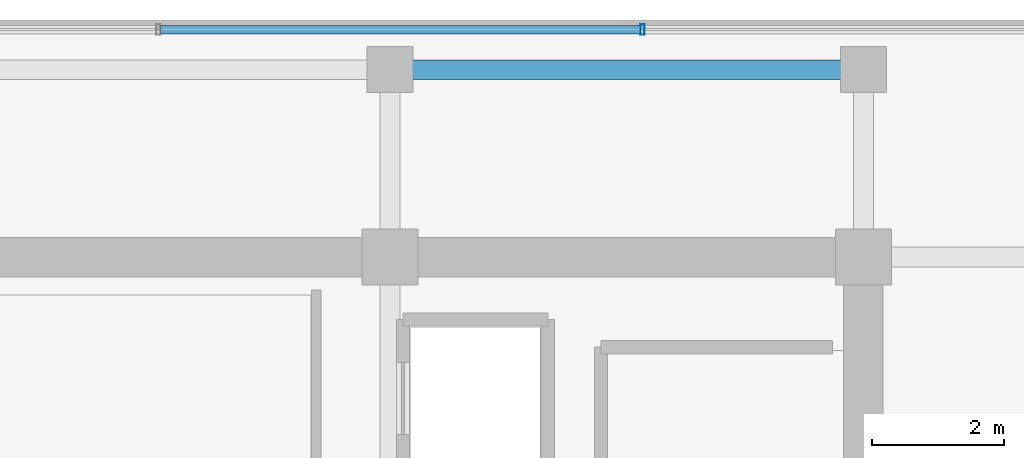
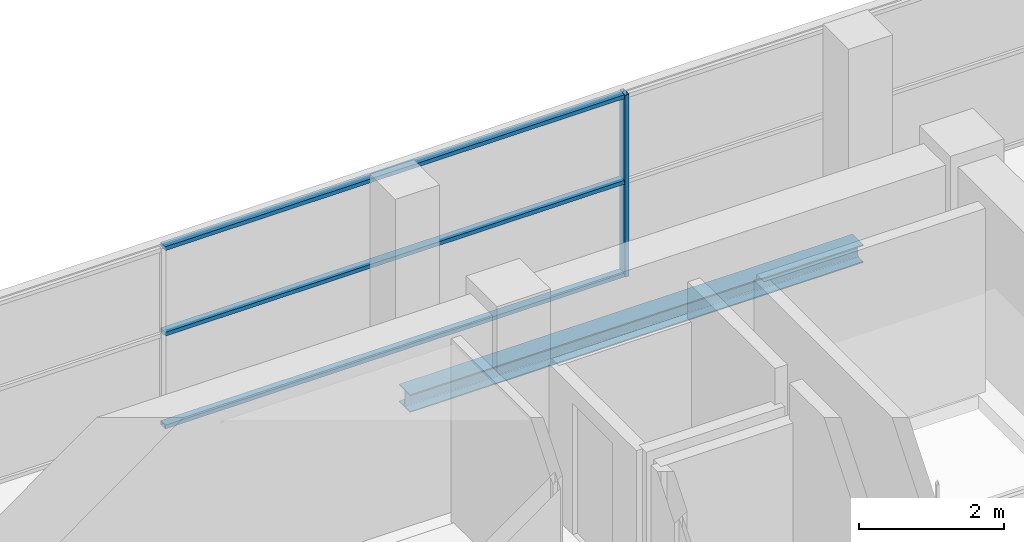
# One storey, part 19 of 28: 4 members, 1 beam, 1 element without a shape of its own.
"""IFC4 building model written with IfcOpenShell, lengths in metres."""

import ifcopenshell
import ifcopenshell.guid

model = None  # the IFC model being written
_history = None  # IfcOwnerHistory: only IFC2X3 demands one
_inside = {}  # id of a spatial element -> (the spatial element, [elements in it])
_under = {}  # id of a project, library or spatial element -> (it, [spatial elements below it])
_declared = {}  # id of a project -> (the project, [libraries it declares])
_typed = {}  # id of a type object -> (the type object, [elements of that type])
_made_of = {}  # id of a material, layer set ... -> (it, [elements and type objects made of it])


def new_model(schema):
    """Start an empty IFC model of exactly this schema.

    Asked for "IFC4X3", IfcOpenShell would pick the latest addendum, in which some entities
    have other attributes; the version numbers below select the first issue.
    IFC2X3 requires an IfcOwnerHistory on every rooted entity: one is made here for all.
    """
    global model, _history
    if schema == "IFC4X3":
        model = ifcopenshell.file(schema_version=(4, 3, 0, 0))
    else:
        model = ifcopenshell.file(schema=schema)
    _inside.clear()
    _under.clear()
    _declared.clear()
    _typed.clear()
    _made_of.clear()
    _history = None
    if model.schema == "IFC2X3":
        org = make("IfcOrganization", Name="unknown")
        user = make(
            "IfcPersonAndOrganization",
            ThePerson=make("IfcPerson", FamilyName="unknown"),
            TheOrganization=org,
        )
        app = make(
            "IfcApplication",
            ApplicationDeveloper=org,
            Version="unknown",
            ApplicationFullName="unknown",
            ApplicationIdentifier="unknown",
        )
        _history = make(
            "IfcOwnerHistory",
            OwningUser=user,
            OwningApplication=app,
            ChangeAction="ADDED",
            CreationDate=0,
        )
    return model


def make(cls, **values):
    """One entity of the class cls with the attributes given. An attribute that is None is left unset."""
    return model.create_entity(
        cls, **{name: value for name, value in values.items() if value is not None}
    )


def rooted(cls, **values):
    """An entity with a GlobalId (a new one), such as an element, a storey or a relation."""
    return make(cls, GlobalId=ifcopenshell.guid.new(), OwnerHistory=_history, **values)


def si_unit(unit_type, name, prefix=None):
    """IfcSIUnit, for example si_unit("LENGTHUNIT", "METRE", prefix="MILLI")."""
    return make("IfcSIUnit", UnitType=unit_type, Prefix=prefix, Name=name)


def assignment(units):
    """IfcUnitAssignment: the units of a project."""
    return None if units is None else make("IfcUnitAssignment", Units=units)


def point(xyz):
    """IfcCartesianPoint."""
    return None if xyz is None else make("IfcCartesianPoint", Coordinates=xyz)


def direction(xyz):
    """IfcDirection."""
    return None if xyz is None else make("IfcDirection", DirectionRatios=xyz)


def frame(location, z_axis=None, x_axis=None):
    """IfcAxis2Placement3D, a coordinate frame: its origin and axes. An axis left out is left unset."""
    return make(
        "IfcAxis2Placement3D",
        Location=point(location),
        Axis=direction(z_axis),
        RefDirection=direction(x_axis),
    )


def frame_2d(location, x_axis=None):
    """IfcAxis2Placement2D, a coordinate frame in the plane: its origin and x axis."""
    return make(
        "IfcAxis2Placement2D", Location=point(location), RefDirection=direction(x_axis)
    )


def origin():
    """The frame at (0, 0, 0) with its axes left unset."""
    return frame((0.0, 0.0, 0.0))


def origin_2d():
    """The frame at (0, 0) in the plane with its x axis left unset."""
    return frame_2d((0.0, 0.0))


def place(relative_to, where):
    """IfcLocalPlacement: puts the frame where relative to a parent placement (None: the world)."""
    return make(
        "IfcLocalPlacement", PlacementRelTo=relative_to, RelativePlacement=where
    )


def context(
    kind, dimensions, precision=None, world=None, true_north=None, identifier=None
):
    """IfcGeometricRepresentationContext, for example the 3D "Model" context."""
    return make(
        "IfcGeometricRepresentationContext",
        ContextIdentifier=identifier,
        ContextType=kind,
        CoordinateSpaceDimension=dimensions,
        Precision=precision,
        WorldCoordinateSystem=world,
        TrueNorth=true_north,
    )


def subcontext(parent, identifier, kind, view, scale=None):
    """IfcGeometricRepresentationSubContext, for example "Body" below "Model"."""
    return make(
        "IfcGeometricRepresentationSubContext",
        ContextIdentifier=identifier,
        ContextType=kind,
        ParentContext=parent,
        TargetScale=scale,
        TargetView=view,
    )


def project(units=None, contexts=None):
    """IfcProject with its units and contexts."""
    return rooted(
        "IfcProject",
        Name="project",
        RepresentationContexts=contexts,
        UnitsInContext=assignment(units),
    )


def spatial(cls, under=None, at=None, **own):
    """A site, building, storey or space (cls), placed at a placement, below another one or the project."""
    s = rooted(cls, ObjectPlacement=at, **own)
    if under is not None:
        _under.setdefault(under.id(), (under, []))[1].append(s)
    return s


def profile(cls, at=None, kind="AREA", **sizes):
    """A parametric profile (cls). Its sizes go by their IFC names, for example OverallWidth=200.0."""
    return make(cls, ProfileType=kind, Position=at, **sizes)


def hollow_rectangle(**sizes):
    """IfcRectangleHollowProfileDef."""
    return profile("IfcRectangleHollowProfileDef", **sizes)


def i_section(**sizes):
    """IfcIShapeProfileDef."""
    return profile("IfcIShapeProfileDef", **sizes)


def extrude(swept, where, along, depth):
    """IfcExtrudedAreaSolid: the profile swept, set in the frame where, extruded along a direction by depth."""
    return make(
        "IfcExtrudedAreaSolid",
        SweptArea=swept,
        Position=where,
        ExtrudedDirection=direction(along),
        Depth=depth,
    )


def shape(context_of_items, identifier, shape_type, items):
    """IfcShapeRepresentation: the items that make up one representation, for example the "Body"."""
    return make(
        "IfcShapeRepresentation",
        ContextOfItems=context_of_items,
        RepresentationIdentifier=identifier,
        RepresentationType=shape_type,
        Items=items,
    )


def source(mapping_origin, context_of_items, identifier, shape_type, items):
    """IfcRepresentationMap: a shape defined once, which mapped items show again and again."""
    return make(
        "IfcRepresentationMap",
        MappingOrigin=mapping_origin,
        MappedRepresentation=shape(context_of_items, identifier, shape_type, items),
    )


def transform(
    local_origin,
    x_axis=None,
    y_axis=None,
    z_axis=None,
    scale=None,
    scale2=None,
    scale3=None,
    uniform=True,
):
    """IfcCartesianTransformationOperator3D, or its non-uniform kind. x_axis, y_axis, z_axis: its Axis1, 2, 3."""
    if uniform:
        return make(
            "IfcCartesianTransformationOperator3D",
            Axis1=direction(x_axis),
            Axis2=direction(y_axis),
            LocalOrigin=point(local_origin),
            Scale=scale,
            Axis3=direction(z_axis),
        )
    return make(
        "IfcCartesianTransformationOperator3DnonUniform",
        Axis1=direction(x_axis),
        Axis2=direction(y_axis),
        LocalOrigin=point(local_origin),
        Scale=scale,
        Axis3=direction(z_axis),
        Scale2=scale2,
        Scale3=scale3,
    )


def mapped(mapping_source, mapping_target):
    """IfcMappedItem: shows the shape of a source again, moved by a transform."""
    return make(
        "IfcMappedItem", MappingSource=mapping_source, MappingTarget=mapping_target
    )


def material(Name=None, Category=None):
    """IfcMaterial."""
    return make("IfcMaterial", Name=Name, Category=Category)


def layer(
    of_material, thickness, ventilated=None, Name=None, Category=None, Priority=None
):
    """IfcMaterialLayer: one layer of a wall or slab, of a material (None: an air gap)."""
    return make(
        "IfcMaterialLayer",
        Material=of_material,
        LayerThickness=thickness,
        IsVentilated=ventilated,
        Name=Name,
        Category=Category,
        Priority=Priority,
    )


def layer_set(layers, Name=None):
    """IfcMaterialLayerSet."""
    return make("IfcMaterialLayerSet", MaterialLayers=layers, LayerSetName=Name)


def material_profile(
    of_material, cross_section, Name=None, Category=None, Priority=None
):
    """IfcMaterialProfile: a cross section and its material."""
    return make(
        "IfcMaterialProfile",
        Name=Name,
        Material=of_material,
        Profile=cross_section,
        Priority=Priority,
        Category=Category,
    )


def profile_set(profiles, Name=None, composite=None):
    """IfcMaterialProfileSet."""
    return make(
        "IfcMaterialProfileSet",
        Name=Name,
        MaterialProfiles=profiles,
        CompositeProfile=composite,
    )


def made_of(thing, what):
    """Note that an element or type object is made of a material, layer set ...; save() writes the relation."""
    if what is not None:
        _made_of.setdefault(what.id(), (what, []))[1].append(thing)
    return thing


def type_object(cls, material=None, **own):
    """A type object (cls), such as IfcWallType, which elements share."""
    return made_of(rooted(cls, **own), material)


def element(
    cls,
    number,
    at=None,
    inside=None,
    cuts=None,
    type_object=None,
    material=None,
    context=None,
    identifier="Body",
    shape_type=None,
    held_by="IfcProductDefinitionShape",
    body=None,
    shapes=None,
    **own,
):
    """One element of the class cls, such as IfcWall. Its Tag is "e" and its number.

    at: its placement. inside: the storey or other place that contains it. cuts: it is an
    opening in that element (IfcRelVoidsElement). A single representation is given by context,
    identifier, shape_type and body (its items); several are given by shapes. held_by: the class
    of the entity that holds the representations. save() writes the other relations.
    """
    e = rooted(cls, Tag="e%d" % number, ObjectPlacement=at, **own)
    if body is not None:
        shapes = [shape(context, identifier, shape_type, body)]
    if shapes is not None:
        e.Representation = make(held_by, Representations=shapes)
    if inside is not None:
        _inside.setdefault(inside.id(), (inside, []))[1].append(e)
    if cuts is not None:
        rooted(
            "IfcRelVoidsElement", RelatingBuildingElement=cuts, RelatedOpeningElement=e
        )
    if type_object is not None:
        _typed.setdefault(type_object.id(), (type_object, []))[1].append(e)
    return made_of(e, material)


def aggregate(whole, parts):
    """IfcRelAggregates: a whole, such as a stair, and the parts it consists of."""
    return rooted("IfcRelAggregates", RelatingObject=whole, RelatedObjects=parts)


def save(model, path):
    """Write the relations noted so far, then the file.

    IfcRelAggregates (storeys below a building ...), IfcRelContainedInSpatialStructure (elements
    in a storey), IfcRelDefinesByType, IfcRelAssociatesMaterial and IfcRelDeclares: one each for
    every whole, place, type object, material and project.
    """
    for whole, parts in _under.values():
        aggregate(whole, parts)
    for where, things in _inside.values():
        rooted(
            "IfcRelContainedInSpatialStructure",
            RelatedElements=things,
            RelatingStructure=where,
        )
    for kind, things in _typed.values():
        rooted("IfcRelDefinesByType", RelatedObjects=things, RelatingType=kind)
    for what, things in _made_of.values():
        rooted("IfcRelAssociatesMaterial", RelatedObjects=things, RelatingMaterial=what)
    for by, libraries in _declared.values():
        rooted("IfcRelDeclares", RelatingContext=by, RelatedDefinitions=libraries)
    model.write(path)


model = new_model("IFC4")

# Units and contexts
model_context = context("Model", 3, precision=1e-05, world=origin(), true_north=direction((0.0, 1.0)))
body_context = subcontext(model_context, "Body", "Model", "MODEL_VIEW")
ifc_project = project(units=[si_unit("LENGTHUNIT", "METRE"), si_unit("AREAUNIT", "SQUARE_METRE"), si_unit("VOLUMEUNIT", "CUBIC_METRE"), si_unit("PLANEANGLEUNIT", "RADIAN"), si_unit("MASSUNIT", "GRAM", prefix="KILO")], contexts=[model_context])

# Site, building, storey
site_placement = place(None, origin())
site = spatial("IfcSite", under=ifc_project, at=site_placement, CompositionType="ELEMENT")
building_placement = place(site_placement, origin())
building = spatial("IfcBuilding", under=site, at=building_placement, Name="Zarnakvel Exchange Tower", CompositionType="ELEMENT")
storey_placement = place(building_placement, frame((0.0, 0.0, 268.300048828125)))
storey = spatial("IfcBuildingStorey", under=building, at=storey_placement, Name="L76", CompositionType="ELEMENT", Elevation=268.300048828125)

# Beam
ifc_material_1 = material(Name="Steel S355", Category="steel")
ifc_material_profile_1 = material_profile(ifc_material_1, i_section(OverallWidth=0.300048828125, OverallDepth=0.300048828125, WebThickness=0.010986328125, FlangeThickness=0.01904296875, FilletRadius=0.027099609375, at=origin_2d()))
ifc_profile_set_1 = profile_set([ifc_material_profile_1], Name="Steel S355")
beam_type = type_object("IfcBeamType", Name="SP-03", PredefinedType="SPANDREL", material=ifc_profile_set_1)
beam_placement = place(storey_placement, frame((7.199951171875, 16.35009765625, -0.375), z_axis=(1.0, 0.0, 0.0), x_axis=(0.0, 1.0, 0.0)))
element("IfcBeam", 1, at=beam_placement, inside=storey, type_object=beam_type, Name="L76 Tower E-W Frame Beam", PredefinedType="SPANDREL", context=body_context, shape_type="SweptSolid", body=[
    extrude(i_section(OverallWidth=0.300048828125, OverallDepth=0.300048828125, WebThickness=0.010986328125, FlangeThickness=0.01904296875, FilletRadius=0.027099609375, at=origin_2d()), origin(), (0.0, 0.0, 1.0), 7.199951171875),
])

# Curtain wall, members
ifc_material_2 = material(Name="Architectural Bronze Anodised Aluminium", Category="aluminium")
ifc_layer = layer(ifc_material_2, 0.159912109375)
ifc_layer_set = layer_set([ifc_layer], Name="Architectural Bronze Anodised Aluminium")
curtain_wall_type = type_object("IfcCurtainWallType", Name="CW-06", PredefinedType="NOTDEFINED", material=ifc_layer_set)
curtain_wall_placement = place(storey_placement, origin())
curtain_wall = element("IfcCurtainWall", 2, at=curtain_wall_placement, inside=storey, type_object=curtain_wall_type, Name="L76 Curtain Wall CW-L76-N1 (CW-06)", PredefinedType="NOTDEFINED")
ifc_material_profile_2 = material_profile(ifc_material_2, hollow_rectangle(XDim=0.1298828125, YDim=0.06494140625, WallThickness=0.00390625, at=origin_2d()))
ifc_profile_set_2 = profile_set([ifc_material_profile_2], Name="Architectural Bronze Anodised Aluminium")
member_type_1 = type_object("IfcMemberType", Name="CWT-06", PredefinedType="USERDEFINED", material=ifc_profile_set_2)
shared_shape_1 = source(origin(), body_context, "Body", "SweptSolid", [
    extrude(hollow_rectangle(XDim=0.1298828125, YDim=0.06494140625, WallThickness=0.00390625, at=origin_2d()), origin(), (0.0, 0.0, 1.0), 7.295166015625),
])
member_1_placement = place(storey_placement, frame((3.71240234375, 16.9599609375, 0.032470703125), z_axis=(1.0, 0.0, 0.0), x_axis=(0.0, 1.0, 0.0)))
member_1 = element("IfcMember", 3, at=member_1_placement, type_object=member_type_1, Name="CW-06 transom 4.1", ObjectType="TRANSOM", PredefinedType="USERDEFINED", context=body_context, shape_type="MappedRepresentation", body=[
    mapped(shared_shape_1, transform((0.0, 0.0, 0.0), x_axis=(1.0, 0.0, 0.0), y_axis=(0.0, 1.0, 0.0), z_axis=(0.0, 0.0, 1.0), scale=1.0)),
])
member_2_placement = place(storey_placement, frame((3.71240234375, 16.9599609375, 1.591064453125), z_axis=(1.0, 0.0, 0.0), x_axis=(0.0, 1.0, 0.0)))
member_2 = element("IfcMember", 4, at=member_2_placement, type_object=member_type_1, Name="CW-06 transom 4.2", ObjectType="TRANSOM", PredefinedType="USERDEFINED", context=body_context, shape_type="MappedRepresentation", body=[
    mapped(shared_shape_1, transform((0.0, 0.0, 0.0), x_axis=(1.0, 0.0, 0.0), y_axis=(0.0, 1.0, 0.0), z_axis=(0.0, 0.0, 1.0), scale=1.0)),
])
member_3_placement = place(storey_placement, frame((3.71240234375, 16.9599609375, 3.02734375), z_axis=(1.0, 0.0, 0.0), x_axis=(0.0, 1.0, 0.0)))
member_3 = element("IfcMember", 5, at=member_3_placement, type_object=member_type_1, Name="CW-06 transom 4.3", ObjectType="TRANSOM", PredefinedType="USERDEFINED", context=body_context, shape_type="MappedRepresentation", body=[
    mapped(shared_shape_1, transform((0.0, 0.0, 0.0), x_axis=(1.0, 0.0, 0.0), y_axis=(0.0, 1.0, 0.0), z_axis=(0.0, 0.0, 1.0), scale=1.0)),
])
ifc_material_profile_3 = material_profile(ifc_material_2, hollow_rectangle(XDim=0.159912109375, YDim=0.06494140625, WallThickness=0.00390625, at=origin_2d()))
ifc_profile_set_3 = profile_set([ifc_material_profile_3], Name="Architectural Bronze Anodised Aluminium")
member_type_2 = type_object("IfcMemberType", Name="CWM-06", PredefinedType="MULLION", material=ifc_profile_set_3)
shared_shape_2 = source(origin(), body_context, "Body", "SweptSolid", [
    extrude(hollow_rectangle(XDim=0.159912109375, YDim=0.06494140625, WallThickness=0.00390625, at=origin_2d()), origin(), (0.0, 0.0, 1.0), 3.06005859375),
])
member_4_placement = place(storey_placement, frame((11.0400390625, 16.9599609375, 0.0), z_axis=(0.0, 0.0, 1.0), x_axis=(0.0, 1.0, 0.0)))
member_4 = element("IfcMember", 6, at=member_4_placement, type_object=member_type_2, Name="CW-06 mullion 5", PredefinedType="MULLION", context=body_context, shape_type="MappedRepresentation", body=[
    mapped(shared_shape_2, transform((0.0, 0.0, 0.0), x_axis=(1.0, 0.0, 0.0), y_axis=(0.0, 1.0, 0.0), z_axis=(0.0, 0.0, 1.0), scale=1.0)),
])
aggregate(curtain_wall, [member_4, member_1, member_2, member_3])

save(model, "model.ifc")
